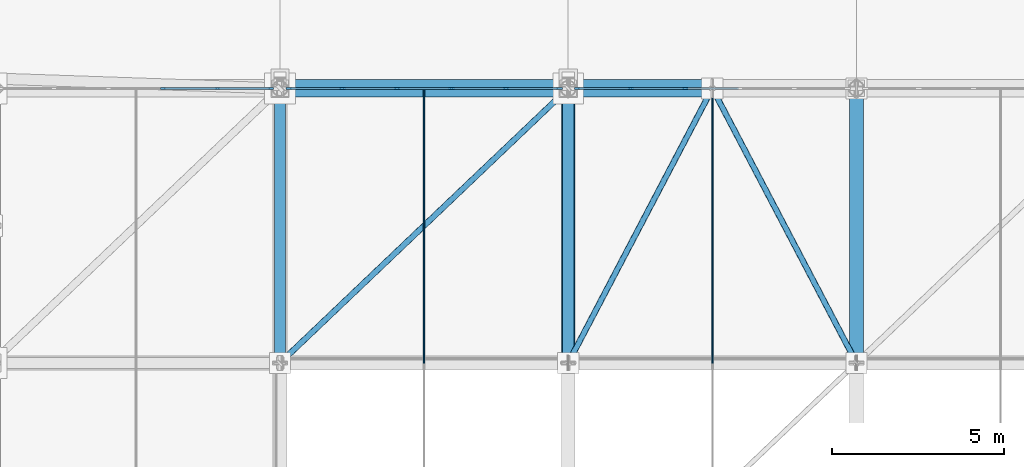
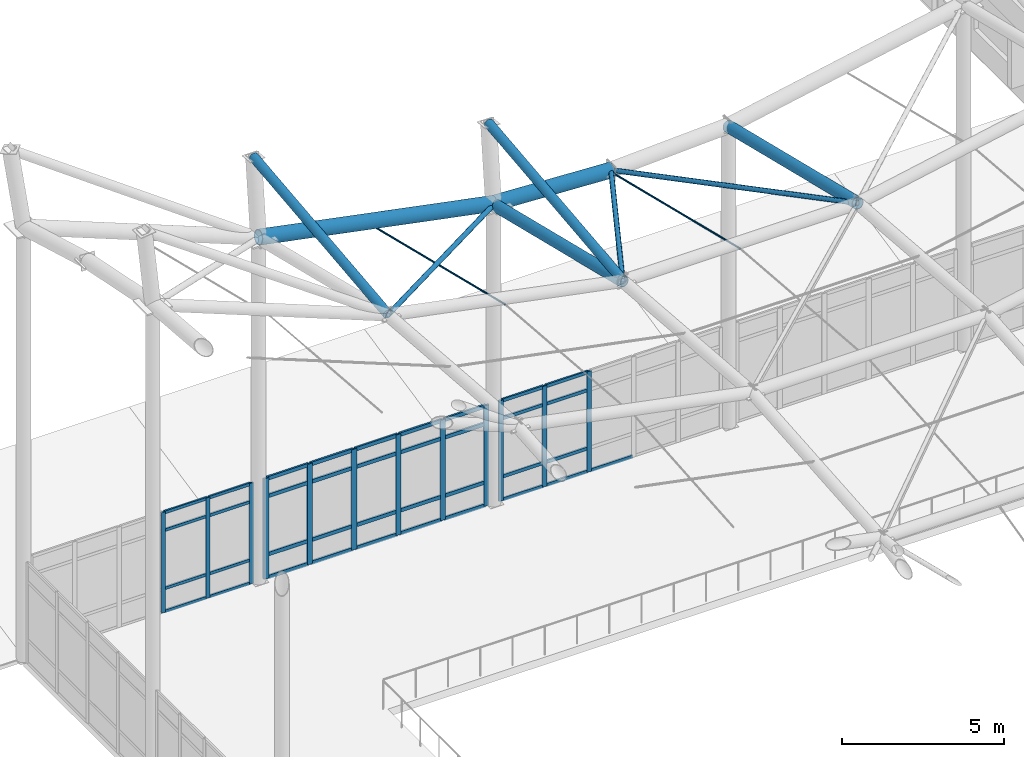
# One storey, part 44 of 138: 56 members, 4 beams, 3 elements without a shape of their own.
"""IFC4 building model written with IfcOpenShell, lengths in metres."""

from ifc_helpers import new_model, si_unit, direction, frame, origin, origin_2d, place, context, subcontext, project, spatial, rectangle, circle, hollow_circle, extrude, material, layer, layer_set, material_profile, profile_set, type_object, element, aggregate, save


model = new_model("IFC4")

# Units and contexts
model_context = context("Model", 3, precision=1e-05, world=origin(), true_north=direction((0.0, 1.0)))
body_context = subcontext(model_context, "Body", "Model", "MODEL_VIEW")
ifc_project = project(units=[si_unit("LENGTHUNIT", "METRE"), si_unit("AREAUNIT", "SQUARE_METRE"), si_unit("VOLUMEUNIT", "CUBIC_METRE"), si_unit("PLANEANGLEUNIT", "RADIAN"), si_unit("MASSUNIT", "GRAM", prefix="KILO")], contexts=[model_context])

# Site, building, storey
site_placement = place(None, origin())
site = spatial("IfcSite", under=ifc_project, at=site_placement, CompositionType="ELEMENT")
building_placement = place(site_placement, origin())
building = spatial("IfcBuilding", under=site, at=building_placement, Name="Kranzveld Transit Interchange", CompositionType="ELEMENT")
storey_placement = place(building_placement, frame((0.0, 0.0, 5.43994140625)))
storey = spatial("IfcBuildingStorey", under=building, at=storey_placement, Name="L01", CompositionType="ELEMENT", Elevation=5.43994140625)

# Curtain wall, members
ifc_material_1 = material(Name="Bronze-anodised thermally broken aluminium", Category="aluminium")
ifc_layer_1 = layer(ifc_material_1, 0.14990234375)
ifc_layer_set_1 = layer_set([ifc_layer_1], Name="Bronze-anodised thermally broken aluminium")
curtain_wall_type_1 = type_object("IfcCurtainWallType", Name="Public Passage Clerestory Screen CW-4", PredefinedType="USERDEFINED", material=ifc_layer_set_1)
curtain_wall_1_placement = place(storey_placement, origin())
curtain_wall_1 = element("IfcCurtainWall", 1, at=curtain_wall_1_placement, inside=storey, type_object=curtain_wall_type_1, Name="L01 Curtain Wall 08/M-09/M", ObjectType="CURTAIN WALL", PredefinedType="USERDEFINED")
ifc_material_2 = material(Name="Bronze-anodised thermally broken aluminium", Category="aluminium")
ifc_material_profile_1 = material_profile(ifc_material_2, rectangle(XDim=0.06005859375, YDim=0.14990234375, at=origin_2d()), Name="ALU MULLION 60x150")
ifc_profile_set_1 = profile_set([ifc_material_profile_1], Name="Bronze-anodised thermally broken aluminium")
member_type_1 = type_object("IfcMemberType", Name="Curtain Wall Mullion 60x150 Alu", PredefinedType="MULLION", material=ifc_profile_set_1)
member_1_placement = place(storey_placement, frame((63.794189453125, 88.0, 0.0), z_axis=(0.0, 0.0, 1.0), x_axis=(0.0, 1.0, 0.0)))
member_1 = element("IfcMember", 2, at=member_1_placement, type_object=member_type_1, Name="CW-4 mullion 4", PredefinedType="MULLION", context=body_context, shape_type="SweptSolid", body=[
    extrude(rectangle(XDim=0.06005859375, YDim=0.14990234375, at=origin_2d()), origin(), (0.0, 0.0, 1.0), 3.800048828125),
])
member_2_placement = place(storey_placement, frame((65.3828125, 88.0, 0.0), z_axis=(0.0, 0.0, 1.0), x_axis=(0.0, 1.0, 0.0)))
member_2 = element("IfcMember", 3, at=member_2_placement, type_object=member_type_1, Name="CW-4 mullion 5", PredefinedType="MULLION", context=body_context, shape_type="SweptSolid", body=[
    extrude(rectangle(XDim=0.06005859375, YDim=0.14990234375, at=origin_2d()), origin(), (0.0, 0.0, 1.0), 3.800048828125),
])
member_3_placement = place(storey_placement, frame((66.94140625, 88.0, 0.0), z_axis=(0.0, 0.0, 1.0), x_axis=(0.0, 1.0, 0.0)))
member_3 = element("IfcMember", 4, at=member_3_placement, type_object=member_type_1, Name="CW-4 mullion 6", PredefinedType="MULLION", context=body_context, shape_type="SweptSolid", body=[
    extrude(rectangle(XDim=0.06005859375, YDim=0.14990234375, at=origin_2d()), origin(), (0.0, 0.0, 1.0), 3.800048828125),
])

ifc_material_3 = material(Name="Bronze-anodised thermally broken aluminium", Category="aluminium")
ifc_layer_2 = layer(ifc_material_3, 0.155029296875)
ifc_layer_set_2 = layer_set([ifc_layer_2], Name="Bronze-anodised thermally broken aluminium")
curtain_wall_type_2 = type_object("IfcCurtainWallType", Name="Operations Courtyard Glazed Screen CW-6", PredefinedType="USERDEFINED", material=ifc_layer_set_2)
curtain_wall_2_placement = place(storey_placement, origin())
curtain_wall_2 = element("IfcCurtainWall", 5, at=curtain_wall_2_placement, inside=storey, type_object=curtain_wall_type_2, Name="L01 Curtain Wall 10/M-11/M", ObjectType="CURTAIN WALL", PredefinedType="USERDEFINED")
ifc_material_4 = material(Name="Bronze-anodised thermally broken aluminium", Category="aluminium")
ifc_material_profile_2 = material_profile(ifc_material_4, rectangle(XDim=0.06494140625, YDim=0.1650390625, at=origin_2d()), Name="ALU MULLION 65x165")
ifc_profile_set_2 = profile_set([ifc_material_profile_2], Name="Bronze-anodised thermally broken aluminium")
member_type_2 = type_object("IfcMemberType", Name="Curtain Wall Mullion 65x165 Alu", PredefinedType="MULLION", material=ifc_profile_set_2)
member_4_placement = place(storey_placement, frame((75.861083984375, 88.0, 0.0), z_axis=(0.0, 0.0, 1.0), x_axis=(0.0, 1.0, 0.0)))
member_4 = element("IfcMember", 6, at=member_4_placement, type_object=member_type_2, Name="CW-6 mullion 1", PredefinedType="MULLION", context=body_context, shape_type="SweptSolid", body=[
    extrude(rectangle(XDim=0.06494140625, YDim=0.1650390625, at=origin_2d()), origin(), (0.0, 0.0, 1.0), 3.800048828125),
])
member_5_placement = place(storey_placement, frame((77.4169921875, 88.0, 0.0), z_axis=(0.0, 0.0, 1.0), x_axis=(0.0, 1.0, 0.0)))
member_5 = element("IfcMember", 7, at=member_5_placement, type_object=member_type_2, Name="CW-6 mullion 2", PredefinedType="MULLION", context=body_context, shape_type="SweptSolid", body=[
    extrude(rectangle(XDim=0.06494140625, YDim=0.1650390625, at=origin_2d()), origin(), (0.0, 0.0, 1.0), 3.800048828125),
])
member_6_placement = place(storey_placement, frame((79.005615234375, 88.0, 0.0), z_axis=(0.0, 0.0, 1.0), x_axis=(0.0, 1.0, 0.0)))
member_6 = element("IfcMember", 8, at=member_6_placement, type_object=member_type_2, Name="CW-6 mullion 3", PredefinedType="MULLION", context=body_context, shape_type="SweptSolid", body=[
    extrude(rectangle(XDim=0.06494140625, YDim=0.1650390625, at=origin_2d()), origin(), (0.0, 0.0, 1.0), 3.800048828125),
])

ifc_material_5 = material(Name="Bronze-anodised thermally broken aluminium", Category="aluminium")
ifc_layer_3 = layer(ifc_material_5, 0.18505859375)
ifc_layer_set_3 = layer_set([ifc_layer_3], Name="Bronze-anodised thermally broken aluminium")
curtain_wall_type_3 = type_object("IfcCurtainWallType", Name="Control Crown Observation Facade CW-5", PredefinedType="USERDEFINED", material=ifc_layer_set_3)
curtain_wall_3_placement = place(storey_placement, origin())
curtain_wall_3 = element("IfcCurtainWall", 9, at=curtain_wall_3_placement, inside=storey, type_object=curtain_wall_type_3, Name="L01 Curtain Wall 09/M-10/M", ObjectType="CURTAIN WALL", PredefinedType="USERDEFINED")
ifc_material_6 = material(Name="Bronze-anodised thermally broken aluminium", Category="aluminium")
ifc_material_profile_3 = material_profile(ifc_material_6, rectangle(XDim=0.06494140625, YDim=0.179931640625, at=origin_2d()), Name="ALU MULLION 65x180")
ifc_profile_set_3 = profile_set([ifc_material_profile_3], Name="Bronze-anodised thermally broken aluminium")
member_type_3 = type_object("IfcMemberType", Name="Curtain Wall Mullion 65x180 Alu", PredefinedType="MULLION", material=ifc_profile_set_3)
member_7_placement = place(storey_placement, frame((67.4609375, 88.0, 0.0), z_axis=(0.0, 0.0, 1.0), x_axis=(0.0, 1.0, 0.0)))
member_7 = element("IfcMember", 10, at=member_7_placement, type_object=member_type_3, Name="CW-5 mullion 1", PredefinedType="MULLION", context=body_context, shape_type="SweptSolid", body=[
    extrude(rectangle(XDim=0.06494140625, YDim=0.179931640625, at=origin_2d()), origin(), (0.0, 0.0, 1.0), 3.800048828125),
])
member_8_placement = place(storey_placement, frame((69.01708984375, 88.0, 0.0), z_axis=(0.0, 0.0, 1.0), x_axis=(0.0, 1.0, 0.0)))
member_8 = element("IfcMember", 11, at=member_8_placement, type_object=member_type_3, Name="CW-5 mullion 2", PredefinedType="MULLION", context=body_context, shape_type="SweptSolid", body=[
    extrude(rectangle(XDim=0.06494140625, YDim=0.179931640625, at=origin_2d()), origin(), (0.0, 0.0, 1.0), 3.800048828125),
])
member_9_placement = place(storey_placement, frame((70.605712890625, 88.0, 0.0), z_axis=(0.0, 0.0, 1.0), x_axis=(0.0, 1.0, 0.0)))
member_9 = element("IfcMember", 12, at=member_9_placement, type_object=member_type_3, Name="CW-5 mullion 3", PredefinedType="MULLION", context=body_context, shape_type="SweptSolid", body=[
    extrude(rectangle(XDim=0.06494140625, YDim=0.179931640625, at=origin_2d()), origin(), (0.0, 0.0, 1.0), 3.800048828125),
])
member_10_placement = place(storey_placement, frame((72.1943359375, 88.0, 0.0), z_axis=(0.0, 0.0, 1.0), x_axis=(0.0, 1.0, 0.0)))
member_10 = element("IfcMember", 13, at=member_10_placement, type_object=member_type_3, Name="CW-5 mullion 4", PredefinedType="MULLION", context=body_context, shape_type="SweptSolid", body=[
    extrude(rectangle(XDim=0.06494140625, YDim=0.179931640625, at=origin_2d()), origin(), (0.0, 0.0, 1.0), 3.800048828125),
])
member_11_placement = place(storey_placement, frame((73.782958984375, 88.0, 0.0), z_axis=(0.0, 0.0, 1.0), x_axis=(0.0, 1.0, 0.0)))
member_11 = element("IfcMember", 14, at=member_11_placement, type_object=member_type_3, Name="CW-5 mullion 5", PredefinedType="MULLION", context=body_context, shape_type="SweptSolid", body=[
    extrude(rectangle(XDim=0.06494140625, YDim=0.179931640625, at=origin_2d()), origin(), (0.0, 0.0, 1.0), 3.800048828125),
])
member_12_placement = place(storey_placement, frame((75.339111328125, 88.0, 0.0), z_axis=(0.0, 0.0, 1.0), x_axis=(0.0, 1.0, 0.0)))
member_12 = element("IfcMember", 15, at=member_12_placement, type_object=member_type_3, Name="CW-5 mullion 6", PredefinedType="MULLION", context=body_context, shape_type="SweptSolid", body=[
    extrude(rectangle(XDim=0.06494140625, YDim=0.179931640625, at=origin_2d()), origin(), (0.0, 0.0, 1.0), 3.800048828125),
])

# Member
ifc_material_7 = material(Name="Bronze-anodised thermally broken aluminium", Category="aluminium")
ifc_material_profile_4 = material_profile(ifc_material_7, rectangle(XDim=0.06005859375, YDim=0.110107421875, at=origin_2d()), Name="ALU TRANSOM 60x110")
ifc_profile_set_4 = profile_set([ifc_material_profile_4], Name="Bronze-anodised thermally broken aluminium")
member_type_4 = type_object("IfcMemberType", Name="Curtain Wall Transom 60x110 Alu", PredefinedType="USERDEFINED", material=ifc_profile_set_4)
member_13_placement = place(storey_placement, frame((63.82421875, 88.0, 0.030029296875), z_axis=(1.0, 0.0, 0.0), x_axis=(0.0, 1.0, 0.0)))
member_13 = element("IfcMember", 16, at=member_13_placement, type_object=member_type_4, Name="CW-4 transom 4.1", ObjectType="TRANSOM", PredefinedType="USERDEFINED", context=body_context, shape_type="SweptSolid", body=[
    extrude(rectangle(XDim=0.06005859375, YDim=0.110107421875, at=origin_2d()), origin(), (0.0, 0.0, 1.0), 1.528564453125),
])

member_14_placement = place(storey_placement, frame((63.82421875, 88.0, 0.900146484375), z_axis=(1.0, 0.0, 0.0), x_axis=(0.0, 1.0, 0.0)))
member_14 = element("IfcMember", 17, at=member_14_placement, type_object=member_type_4, Name="CW-4 transom 4.2", ObjectType="TRANSOM", PredefinedType="USERDEFINED", context=body_context, shape_type="SweptSolid", body=[
    extrude(rectangle(XDim=0.06005859375, YDim=0.110107421875, at=origin_2d()), origin(), (0.0, 0.0, 1.0), 1.528564453125),
])

member_15_placement = place(storey_placement, frame((63.82421875, 88.0, 3.10009765625), z_axis=(1.0, 0.0, 0.0), x_axis=(0.0, 1.0, 0.0)))
member_15 = element("IfcMember", 18, at=member_15_placement, type_object=member_type_4, Name="CW-4 transom 4.3", ObjectType="TRANSOM", PredefinedType="USERDEFINED", context=body_context, shape_type="SweptSolid", body=[
    extrude(rectangle(XDim=0.06005859375, YDim=0.110107421875, at=origin_2d()), origin(), (0.0, 0.0, 1.0), 1.528564453125),
])

member_16_placement = place(storey_placement, frame((63.82421875, 88.0, 3.77001953125), z_axis=(1.0, 0.0, 0.0), x_axis=(0.0, 1.0, 0.0)))
member_16 = element("IfcMember", 19, at=member_16_placement, type_object=member_type_4, Name="CW-4 transom 4.4", ObjectType="TRANSOM", PredefinedType="USERDEFINED", context=body_context, shape_type="SweptSolid", body=[
    extrude(rectangle(XDim=0.06005859375, YDim=0.110107421875, at=origin_2d()), origin(), (0.0, 0.0, 1.0), 1.528564453125),
])

member_17_placement = place(storey_placement, frame((65.412841796875, 88.0, 0.030029296875), z_axis=(1.0, 0.0, 0.0), x_axis=(0.0, 1.0, 0.0)))
member_17 = element("IfcMember", 20, at=member_17_placement, type_object=member_type_4, Name="CW-4 transom 5.1", ObjectType="TRANSOM", PredefinedType="USERDEFINED", context=body_context, shape_type="SweptSolid", body=[
    extrude(rectangle(XDim=0.06005859375, YDim=0.110107421875, at=origin_2d()), origin(), (0.0, 0.0, 1.0), 1.498779296875),
])

member_18_placement = place(storey_placement, frame((65.412841796875, 88.0, 0.900146484375), z_axis=(1.0, 0.0, 0.0), x_axis=(0.0, 1.0, 0.0)))
member_18 = element("IfcMember", 21, at=member_18_placement, type_object=member_type_4, Name="CW-4 transom 5.2", ObjectType="TRANSOM", PredefinedType="USERDEFINED", context=body_context, shape_type="SweptSolid", body=[
    extrude(rectangle(XDim=0.06005859375, YDim=0.110107421875, at=origin_2d()), origin(), (0.0, 0.0, 1.0), 1.498779296875),
])

member_19_placement = place(storey_placement, frame((65.412841796875, 88.0, 3.10009765625), z_axis=(1.0, 0.0, 0.0), x_axis=(0.0, 1.0, 0.0)))
member_19 = element("IfcMember", 22, at=member_19_placement, type_object=member_type_4, Name="CW-4 transom 5.3", ObjectType="TRANSOM", PredefinedType="USERDEFINED", context=body_context, shape_type="SweptSolid", body=[
    extrude(rectangle(XDim=0.06005859375, YDim=0.110107421875, at=origin_2d()), origin(), (0.0, 0.0, 1.0), 1.498779296875),
])

member_20_placement = place(storey_placement, frame((65.412841796875, 88.0, 3.77001953125), z_axis=(1.0, 0.0, 0.0), x_axis=(0.0, 1.0, 0.0)))
member_20 = element("IfcMember", 23, at=member_20_placement, type_object=member_type_4, Name="CW-4 transom 5.4", ObjectType="TRANSOM", PredefinedType="USERDEFINED", context=body_context, shape_type="SweptSolid", body=[
    extrude(rectangle(XDim=0.06005859375, YDim=0.110107421875, at=origin_2d()), origin(), (0.0, 0.0, 1.0), 1.498779296875),
])

aggregate(curtain_wall_1, [member_1, member_2, member_3, member_13, member_14, member_15, member_16, member_17, member_18, member_19, member_20])

ifc_material_8 = material(Name="Bronze-anodised thermally broken aluminium", Category="aluminium")
ifc_material_profile_5 = material_profile(ifc_material_8, rectangle(XDim=0.06005859375, YDim=0.125, at=origin_2d()), Name="ALU TRANSOM 60x125")
ifc_profile_set_5 = profile_set([ifc_material_profile_5], Name="Bronze-anodised thermally broken aluminium")
member_type_5 = type_object("IfcMemberType", Name="Curtain Wall Transom 60x125 Alu", PredefinedType="USERDEFINED", material=ifc_profile_set_5)
member_21_placement = place(storey_placement, frame((75.8935546875, 88.0, 0.030029296875), z_axis=(1.0, 0.0, 0.0), x_axis=(0.0, 1.0, 0.0)))
member_21 = element("IfcMember", 24, at=member_21_placement, type_object=member_type_5, Name="CW-6 transom 1.1", ObjectType="TRANSOM", PredefinedType="USERDEFINED", context=body_context, shape_type="SweptSolid", body=[
    extrude(rectangle(XDim=0.06005859375, YDim=0.125, at=origin_2d()), origin(), (0.0, 0.0, 1.0), 1.490966796875),
])

member_22_placement = place(storey_placement, frame((75.8935546875, 88.0, 0.900146484375), z_axis=(1.0, 0.0, 0.0), x_axis=(0.0, 1.0, 0.0)))
member_22 = element("IfcMember", 25, at=member_22_placement, type_object=member_type_5, Name="CW-6 transom 1.2", ObjectType="TRANSOM", PredefinedType="USERDEFINED", context=body_context, shape_type="SweptSolid", body=[
    extrude(rectangle(XDim=0.06005859375, YDim=0.125, at=origin_2d()), origin(), (0.0, 0.0, 1.0), 1.490966796875),
])

member_23_placement = place(storey_placement, frame((75.8935546875, 88.0, 3.10009765625), z_axis=(1.0, 0.0, 0.0), x_axis=(0.0, 1.0, 0.0)))
member_23 = element("IfcMember", 26, at=member_23_placement, type_object=member_type_5, Name="CW-6 transom 1.3", ObjectType="TRANSOM", PredefinedType="USERDEFINED", context=body_context, shape_type="SweptSolid", body=[
    extrude(rectangle(XDim=0.06005859375, YDim=0.125, at=origin_2d()), origin(), (0.0, 0.0, 1.0), 1.490966796875),
])

member_24_placement = place(storey_placement, frame((75.8935546875, 88.0, 3.77001953125), z_axis=(1.0, 0.0, 0.0), x_axis=(0.0, 1.0, 0.0)))
member_24 = element("IfcMember", 27, at=member_24_placement, type_object=member_type_5, Name="CW-6 transom 1.4", ObjectType="TRANSOM", PredefinedType="USERDEFINED", context=body_context, shape_type="SweptSolid", body=[
    extrude(rectangle(XDim=0.06005859375, YDim=0.125, at=origin_2d()), origin(), (0.0, 0.0, 1.0), 1.490966796875),
])

member_25_placement = place(storey_placement, frame((77.44970703125, 88.0, 0.030029296875), z_axis=(1.0, 0.0, 0.0), x_axis=(0.0, 1.0, 0.0)))
member_25 = element("IfcMember", 28, at=member_25_placement, type_object=member_type_5, Name="CW-6 transom 2.1", ObjectType="TRANSOM", PredefinedType="USERDEFINED", context=body_context, shape_type="SweptSolid", body=[
    extrude(rectangle(XDim=0.06005859375, YDim=0.125, at=origin_2d()), origin(), (0.0, 0.0, 1.0), 1.5234375),
])

member_26_placement = place(storey_placement, frame((77.44970703125, 88.0, 0.900146484375), z_axis=(1.0, 0.0, 0.0), x_axis=(0.0, 1.0, 0.0)))
member_26 = element("IfcMember", 29, at=member_26_placement, type_object=member_type_5, Name="CW-6 transom 2.2", ObjectType="TRANSOM", PredefinedType="USERDEFINED", context=body_context, shape_type="SweptSolid", body=[
    extrude(rectangle(XDim=0.06005859375, YDim=0.125, at=origin_2d()), origin(), (0.0, 0.0, 1.0), 1.5234375),
])

member_27_placement = place(storey_placement, frame((77.44970703125, 88.0, 3.10009765625), z_axis=(1.0, 0.0, 0.0), x_axis=(0.0, 1.0, 0.0)))
member_27 = element("IfcMember", 30, at=member_27_placement, type_object=member_type_5, Name="CW-6 transom 2.3", ObjectType="TRANSOM", PredefinedType="USERDEFINED", context=body_context, shape_type="SweptSolid", body=[
    extrude(rectangle(XDim=0.06005859375, YDim=0.125, at=origin_2d()), origin(), (0.0, 0.0, 1.0), 1.5234375),
])

member_28_placement = place(storey_placement, frame((77.44970703125, 88.0, 3.77001953125), z_axis=(1.0, 0.0, 0.0), x_axis=(0.0, 1.0, 0.0)))
member_28 = element("IfcMember", 31, at=member_28_placement, type_object=member_type_5, Name="CW-6 transom 2.4", ObjectType="TRANSOM", PredefinedType="USERDEFINED", context=body_context, shape_type="SweptSolid", body=[
    extrude(rectangle(XDim=0.06005859375, YDim=0.125, at=origin_2d()), origin(), (0.0, 0.0, 1.0), 1.5234375),
])

member_29_placement = place(storey_placement, frame((79.0380859375, 88.0, 0.030029296875), z_axis=(1.0, 0.0, 0.0), x_axis=(0.0, 1.0, 0.0)))
member_29 = element("IfcMember", 32, at=member_29_placement, type_object=member_type_5, Name="CW-6 transom 3.1", ObjectType="TRANSOM", PredefinedType="USERDEFINED", context=body_context, shape_type="SweptSolid", body=[
    extrude(rectangle(XDim=0.06005859375, YDim=0.125, at=origin_2d()), origin(), (0.0, 0.0, 1.0), 1.523681640625),
])

aggregate(curtain_wall_2, [member_4, member_5, member_6, member_21, member_22, member_23, member_24, member_25, member_26, member_27, member_28, member_29])

ifc_material_9 = material(Name="Bronze-anodised thermally broken aluminium", Category="aluminium")
ifc_material_profile_6 = material_profile(ifc_material_9, rectangle(XDim=0.06494140625, YDim=0.139892578125, at=origin_2d()), Name="ALU TRANSOM 65x140")
ifc_profile_set_6 = profile_set([ifc_material_profile_6], Name="Bronze-anodised thermally broken aluminium")
member_type_6 = type_object("IfcMemberType", Name="Curtain Wall Transom 65x140 Alu", PredefinedType="USERDEFINED", material=ifc_profile_set_6)
member_30_placement = place(storey_placement, frame((67.493408203125, 88.0, 0.032470703125), z_axis=(1.0, 0.0, 0.0), x_axis=(0.0, 1.0, 0.0)))
member_30 = element("IfcMember", 33, at=member_30_placement, type_object=member_type_6, Name="CW-5 transom 1.1", ObjectType="TRANSOM", PredefinedType="USERDEFINED", context=body_context, shape_type="SweptSolid", body=[
    extrude(rectangle(XDim=0.06494140625, YDim=0.139892578125, at=origin_2d()), origin(), (0.0, 0.0, 1.0), 1.4912109375),
])

member_31_placement = place(storey_placement, frame((67.493408203125, 88.0, 0.900146484375), z_axis=(1.0, 0.0, 0.0), x_axis=(0.0, 1.0, 0.0)))
member_31 = element("IfcMember", 34, at=member_31_placement, type_object=member_type_6, Name="CW-5 transom 1.2", ObjectType="TRANSOM", PredefinedType="USERDEFINED", context=body_context, shape_type="SweptSolid", body=[
    extrude(rectangle(XDim=0.06494140625, YDim=0.139892578125, at=origin_2d()), origin(), (0.0, 0.0, 1.0), 1.4912109375),
])

member_32_placement = place(storey_placement, frame((67.493408203125, 88.0, 3.10009765625), z_axis=(1.0, 0.0, 0.0), x_axis=(0.0, 1.0, 0.0)))
member_32 = element("IfcMember", 35, at=member_32_placement, type_object=member_type_6, Name="CW-5 transom 1.3", ObjectType="TRANSOM", PredefinedType="USERDEFINED", context=body_context, shape_type="SweptSolid", body=[
    extrude(rectangle(XDim=0.06494140625, YDim=0.139892578125, at=origin_2d()), origin(), (0.0, 0.0, 1.0), 1.4912109375),
])

member_33_placement = place(storey_placement, frame((67.493408203125, 88.0, 3.767578125), z_axis=(1.0, 0.0, 0.0), x_axis=(0.0, 1.0, 0.0)))
member_33 = element("IfcMember", 36, at=member_33_placement, type_object=member_type_6, Name="CW-5 transom 1.4", ObjectType="TRANSOM", PredefinedType="USERDEFINED", context=body_context, shape_type="SweptSolid", body=[
    extrude(rectangle(XDim=0.06494140625, YDim=0.139892578125, at=origin_2d()), origin(), (0.0, 0.0, 1.0), 1.4912109375),
])

member_34_placement = place(storey_placement, frame((69.049560546875, 88.0, 0.032470703125), z_axis=(1.0, 0.0, 0.0), x_axis=(0.0, 1.0, 0.0)))
member_34 = element("IfcMember", 37, at=member_34_placement, type_object=member_type_6, Name="CW-5 transom 2.1", ObjectType="TRANSOM", PredefinedType="USERDEFINED", context=body_context, shape_type="SweptSolid", body=[
    extrude(rectangle(XDim=0.06494140625, YDim=0.139892578125, at=origin_2d()), origin(), (0.0, 0.0, 1.0), 1.523681640625),
])

member_35_placement = place(storey_placement, frame((69.049560546875, 88.0, 0.900146484375), z_axis=(1.0, 0.0, 0.0), x_axis=(0.0, 1.0, 0.0)))
member_35 = element("IfcMember", 38, at=member_35_placement, type_object=member_type_6, Name="CW-5 transom 2.2", ObjectType="TRANSOM", PredefinedType="USERDEFINED", context=body_context, shape_type="SweptSolid", body=[
    extrude(rectangle(XDim=0.06494140625, YDim=0.139892578125, at=origin_2d()), origin(), (0.0, 0.0, 1.0), 1.523681640625),
])

member_36_placement = place(storey_placement, frame((69.049560546875, 88.0, 3.10009765625), z_axis=(1.0, 0.0, 0.0), x_axis=(0.0, 1.0, 0.0)))
member_36 = element("IfcMember", 39, at=member_36_placement, type_object=member_type_6, Name="CW-5 transom 2.3", ObjectType="TRANSOM", PredefinedType="USERDEFINED", context=body_context, shape_type="SweptSolid", body=[
    extrude(rectangle(XDim=0.06494140625, YDim=0.139892578125, at=origin_2d()), origin(), (0.0, 0.0, 1.0), 1.523681640625),
])

member_37_placement = place(storey_placement, frame((69.049560546875, 88.0, 3.767578125), z_axis=(1.0, 0.0, 0.0), x_axis=(0.0, 1.0, 0.0)))
member_37 = element("IfcMember", 40, at=member_37_placement, type_object=member_type_6, Name="CW-5 transom 2.4", ObjectType="TRANSOM", PredefinedType="USERDEFINED", context=body_context, shape_type="SweptSolid", body=[
    extrude(rectangle(XDim=0.06494140625, YDim=0.139892578125, at=origin_2d()), origin(), (0.0, 0.0, 1.0), 1.523681640625),
])

member_38_placement = place(storey_placement, frame((70.63818359375, 88.0, 0.032470703125), z_axis=(1.0, 0.0, 0.0), x_axis=(0.0, 1.0, 0.0)))
member_38 = element("IfcMember", 41, at=member_38_placement, type_object=member_type_6, Name="CW-5 transom 3.1", ObjectType="TRANSOM", PredefinedType="USERDEFINED", context=body_context, shape_type="SweptSolid", body=[
    extrude(rectangle(XDim=0.06494140625, YDim=0.139892578125, at=origin_2d()), origin(), (0.0, 0.0, 1.0), 1.523681640625),
])

member_39_placement = place(storey_placement, frame((70.63818359375, 88.0, 0.900146484375), z_axis=(1.0, 0.0, 0.0), x_axis=(0.0, 1.0, 0.0)))
member_39 = element("IfcMember", 42, at=member_39_placement, type_object=member_type_6, Name="CW-5 transom 3.2", ObjectType="TRANSOM", PredefinedType="USERDEFINED", context=body_context, shape_type="SweptSolid", body=[
    extrude(rectangle(XDim=0.06494140625, YDim=0.139892578125, at=origin_2d()), origin(), (0.0, 0.0, 1.0), 1.523681640625),
])

member_40_placement = place(storey_placement, frame((70.63818359375, 88.0, 3.10009765625), z_axis=(1.0, 0.0, 0.0), x_axis=(0.0, 1.0, 0.0)))
member_40 = element("IfcMember", 43, at=member_40_placement, type_object=member_type_6, Name="CW-5 transom 3.3", ObjectType="TRANSOM", PredefinedType="USERDEFINED", context=body_context, shape_type="SweptSolid", body=[
    extrude(rectangle(XDim=0.06494140625, YDim=0.139892578125, at=origin_2d()), origin(), (0.0, 0.0, 1.0), 1.523681640625),
])

member_41_placement = place(storey_placement, frame((70.63818359375, 88.0, 3.767578125), z_axis=(1.0, 0.0, 0.0), x_axis=(0.0, 1.0, 0.0)))
member_41 = element("IfcMember", 44, at=member_41_placement, type_object=member_type_6, Name="CW-5 transom 3.4", ObjectType="TRANSOM", PredefinedType="USERDEFINED", context=body_context, shape_type="SweptSolid", body=[
    extrude(rectangle(XDim=0.06494140625, YDim=0.139892578125, at=origin_2d()), origin(), (0.0, 0.0, 1.0), 1.523681640625),
])

member_42_placement = place(storey_placement, frame((72.226806640625, 88.0, 0.032470703125), z_axis=(1.0, 0.0, 0.0), x_axis=(0.0, 1.0, 0.0)))
member_42 = element("IfcMember", 45, at=member_42_placement, type_object=member_type_6, Name="CW-5 transom 4.1", ObjectType="TRANSOM", PredefinedType="USERDEFINED", context=body_context, shape_type="SweptSolid", body=[
    extrude(rectangle(XDim=0.06494140625, YDim=0.139892578125, at=origin_2d()), origin(), (0.0, 0.0, 1.0), 1.523681640625),
])

member_43_placement = place(storey_placement, frame((72.226806640625, 88.0, 0.900146484375), z_axis=(1.0, 0.0, 0.0), x_axis=(0.0, 1.0, 0.0)))
member_43 = element("IfcMember", 46, at=member_43_placement, type_object=member_type_6, Name="CW-5 transom 4.2", ObjectType="TRANSOM", PredefinedType="USERDEFINED", context=body_context, shape_type="SweptSolid", body=[
    extrude(rectangle(XDim=0.06494140625, YDim=0.139892578125, at=origin_2d()), origin(), (0.0, 0.0, 1.0), 1.523681640625),
])

member_44_placement = place(storey_placement, frame((72.226806640625, 88.0, 3.10009765625), z_axis=(1.0, 0.0, 0.0), x_axis=(0.0, 1.0, 0.0)))
member_44 = element("IfcMember", 47, at=member_44_placement, type_object=member_type_6, Name="CW-5 transom 4.3", ObjectType="TRANSOM", PredefinedType="USERDEFINED", context=body_context, shape_type="SweptSolid", body=[
    extrude(rectangle(XDim=0.06494140625, YDim=0.139892578125, at=origin_2d()), origin(), (0.0, 0.0, 1.0), 1.523681640625),
])

member_45_placement = place(storey_placement, frame((72.226806640625, 88.0, 3.767578125), z_axis=(1.0, 0.0, 0.0), x_axis=(0.0, 1.0, 0.0)))
member_45 = element("IfcMember", 48, at=member_45_placement, type_object=member_type_6, Name="CW-5 transom 4.4", ObjectType="TRANSOM", PredefinedType="USERDEFINED", context=body_context, shape_type="SweptSolid", body=[
    extrude(rectangle(XDim=0.06494140625, YDim=0.139892578125, at=origin_2d()), origin(), (0.0, 0.0, 1.0), 1.523681640625),
])

member_46_placement = place(storey_placement, frame((73.8154296875, 88.0, 0.032470703125), z_axis=(1.0, 0.0, 0.0), x_axis=(0.0, 1.0, 0.0)))
member_46 = element("IfcMember", 49, at=member_46_placement, type_object=member_type_6, Name="CW-5 transom 5.1", ObjectType="TRANSOM", PredefinedType="USERDEFINED", context=body_context, shape_type="SweptSolid", body=[
    extrude(rectangle(XDim=0.06494140625, YDim=0.139892578125, at=origin_2d()), origin(), (0.0, 0.0, 1.0), 1.490966796875),
])

member_47_placement = place(storey_placement, frame((73.8154296875, 88.0, 0.900146484375), z_axis=(1.0, 0.0, 0.0), x_axis=(0.0, 1.0, 0.0)))
member_47 = element("IfcMember", 50, at=member_47_placement, type_object=member_type_6, Name="CW-5 transom 5.2", ObjectType="TRANSOM", PredefinedType="USERDEFINED", context=body_context, shape_type="SweptSolid", body=[
    extrude(rectangle(XDim=0.06494140625, YDim=0.139892578125, at=origin_2d()), origin(), (0.0, 0.0, 1.0), 1.490966796875),
])

member_48_placement = place(storey_placement, frame((73.8154296875, 88.0, 3.10009765625), z_axis=(1.0, 0.0, 0.0), x_axis=(0.0, 1.0, 0.0)))
member_48 = element("IfcMember", 51, at=member_48_placement, type_object=member_type_6, Name="CW-5 transom 5.3", ObjectType="TRANSOM", PredefinedType="USERDEFINED", context=body_context, shape_type="SweptSolid", body=[
    extrude(rectangle(XDim=0.06494140625, YDim=0.139892578125, at=origin_2d()), origin(), (0.0, 0.0, 1.0), 1.490966796875),
])

member_49_placement = place(storey_placement, frame((73.8154296875, 88.0, 3.767578125), z_axis=(1.0, 0.0, 0.0), x_axis=(0.0, 1.0, 0.0)))
member_49 = element("IfcMember", 52, at=member_49_placement, type_object=member_type_6, Name="CW-5 transom 5.4", ObjectType="TRANSOM", PredefinedType="USERDEFINED", context=body_context, shape_type="SweptSolid", body=[
    extrude(rectangle(XDim=0.06494140625, YDim=0.139892578125, at=origin_2d()), origin(), (0.0, 0.0, 1.0), 1.490966796875),
])

aggregate(curtain_wall_3, [member_7, member_8, member_9, member_10, member_11, member_12, member_30, member_31, member_32, member_33, member_34, member_35, member_36, member_37, member_38, member_39, member_40, member_41, member_42, member_43, member_44, member_45, member_46, member_47, member_48, member_49])

# Members
ifc_material_10 = material(Name="Steel S355JR", Category="steel")
ifc_material_profile_7 = material_profile(ifc_material_10, hollow_circle(Radius=0.161865234375, WallThickness=0.012451171875, at=origin_2d()), Name="CHS 323.9x12.5")
ifc_profile_set_7 = profile_set([ifc_material_profile_7], Name="Steel S355JR")
member_type_7 = type_object("IfcMemberType", Name="Mast Tripod Strut CHS 323.9x12.5 S355JR", PredefinedType="STRUT", material=ifc_profile_set_7)
for number, where, z_axis, x_axis, name in (
    (53, (67.199951171875, 80.0, 14.93212890625), (0.0, 0.994173724148, 0.10778963871), (-1.0, 0.0, 0.0), "Mast Tripod Strut MS-10"),
    (54, (75.60009765625, 80.0, 13.26806640625), (0.0, 0.994173724148, 0.10778963871), (-1.0, 0.0, 0.0), "Mast Tripod Strut MS-11"),
):
    element("IfcMember", number, at=place(storey_placement, frame(where, z_axis=z_axis, x_axis=x_axis)), inside=storey, type_object=member_type_7, Name=name, PredefinedType="STRUT", context=body_context, shape_type="SweptSolid", body=[
        extrude(hollow_circle(Radius=0.161865234375, WallThickness=0.012451171875, at=origin_2d()), origin(), (0.0, 0.0, 1.0), 8.3486328125),
    ])

# Beams
ifc_material_11 = material(Name="Steel S355JR", Category="steel")
ifc_material_profile_8 = material_profile(ifc_material_11, hollow_circle(Radius=0.25390625, WallThickness=0.02001953125, at=origin_2d()), Name="CHS 508x20")
ifc_profile_set_8 = profile_set([ifc_material_profile_8], Name="Steel S355JR")
beam_type_1 = type_object("IfcBeamType", Name="Ring Beam Steel CHS 508x20 S355JR", PredefinedType="BEAM", material=ifc_profile_set_8)
beam_1_placement = place(storey_placement, frame((79.800048828125, 88.0, 11.110107421875), z_axis=(-0.998775827081, 0.0, 0.049465616734), x_axis=(0.0, -1.0, 0.0)))
element("IfcBeam", 55, at=beam_1_placement, inside=storey, type_object=beam_type_1, Name="Saddle Compression Ring Chord 10mM-10M", PredefinedType="BEAM", context=body_context, shape_type="SweptSolid", body=[
    extrude(hollow_circle(Radius=0.25390625, WallThickness=0.02001953125, at=origin_2d()), origin(), (0.0, 0.0, 1.0), 4.205078125),
])
beam_2_placement = place(storey_placement, frame((75.60009765625, 88.0, 11.318115234375), z_axis=(-0.980937602639, 0.0, 0.19432297787), x_axis=(0.0, -1.0, 0.0)))
element("IfcBeam", 56, at=beam_2_placement, inside=storey, type_object=beam_type_1, Name="Saddle Compression Ring Chord 10M-09M", PredefinedType="BEAM", context=body_context, shape_type="SweptSolid", body=[
    extrude(hollow_circle(Radius=0.25390625, WallThickness=0.02001953125, at=origin_2d()), origin(), (0.0, 0.0, 1.0), 8.5634765625),
])

# Members
ifc_material_12 = material(Name="Steel S355JR", Category="steel")
ifc_material_profile_9 = material_profile(ifc_material_12, hollow_circle(Radius=0.084228515625, WallThickness=0.00634765625, at=origin_2d()), Name="CHS 168.3x6.3")
ifc_profile_set_9 = profile_set([ifc_material_profile_9], Name="Steel S355JR")
member_type_8 = type_object("IfcMemberType", Name="Roof Plan Brace CHS 168.3x6.3 S355JR", PredefinedType="BRACE", material=ifc_profile_set_9)
member_50_placement = place(storey_placement, frame((67.199951171875, 80.0, 14.882080078125), z_axis=(0.691367608731, 0.658433859474, -0.29744862127), x_axis=(-0.689648865971, 0.724143937118, 0.0)))
element("IfcMember", 57, at=member_50_placement, inside=storey, type_object=member_type_8, Name="Saddle Roof Plan Brace 09/L-10/M", PredefinedType="BRACE", context=body_context, shape_type="SweptSolid", body=[
    extrude(hollow_circle(Radius=0.084228515625, WallThickness=0.00634765625, at=origin_2d()), origin(), (0.0, 0.0, 1.0), 12.150146484375),
])
for number, where, z_axis, x_axis, name in (
    (58, (75.60009765625, 80.0, 13.238037109375), (0.452451523541, 0.861822445119, -0.22923719579), (-0.885400126936, 0.464829662588, 0.0), "Saddle Roof Tie Brace 10/L-10mM"),
    (59, (84.0, 80.0, 13.238037109375), (-0.452451523541, 0.861822445119, -0.22923719579), (-0.885400126936, -0.464829662588, 0.0), "Saddle Roof Tie Brace 11/L-10mM"),
):
    element("IfcMember", number, at=place(storey_placement, frame(where, z_axis=z_axis, x_axis=x_axis)), inside=storey, type_object=member_type_8, Name=name, PredefinedType="BRACE", context=body_context, shape_type="SweptSolid", body=[
        extrude(hollow_circle(Radius=0.084228515625, WallThickness=0.00634765625, at=origin_2d()), origin(), (0.0, 0.0, 1.0), 9.28271484375),
    ])

# Beams
ifc_material_13 = material(Name="Steel S355JR", Category="steel")
ifc_material_profile_10 = material_profile(ifc_material_13, hollow_circle(Radius=0.203125, WallThickness=0.01611328125, at=origin_2d()), Name="CHS 406.4x16")
ifc_profile_set_10 = profile_set([ifc_material_profile_10], Name="Steel S355JR")
beam_type_2 = type_object("IfcBeamType", Name="Saddle Arch Rib CHS 406.4x16 S355JR", PredefinedType="BEAM", material=ifc_profile_set_10)
for number, where, z_axis, x_axis, name in (
    (60, (75.60009765625, 80.0, 13.238037109375), (0.0, 0.971555787477, -0.236810793292), (-1.0, 0.0, 0.0), "Saddle Arch Rib 10/L-M"),
    (61, (84.0, 80.0, 13.238037109375), (0.0, 0.971555787477, -0.236810793292), (-1.0, 0.0, 0.0), "Saddle Arch Rib 11/L-M"),
):
    element("IfcBeam", number, at=place(storey_placement, frame(where, z_axis=z_axis, x_axis=x_axis)), inside=storey, type_object=beam_type_2, Name=name, PredefinedType="BEAM", context=body_context, shape_type="SweptSolid", body=[
        extrude(hollow_circle(Radius=0.203125, WallThickness=0.01611328125, at=origin_2d()), origin(), (0.0, 0.0, 1.0), 8.234130859375),
    ])

# Members
ifc_material_14 = material(Name="Steel S355JR", Category="steel")
ifc_material_profile_11 = material_profile(ifc_material_14, circle(Radius=0.02392578125, at=origin_2d()), Name="CABLE D48")
ifc_profile_set_11 = profile_set([ifc_material_profile_11], Name="Steel S355JR")
member_type_9 = type_object("IfcMemberType", Name="Saddle Stabilising Cable D48 S355JR", PredefinedType="USERDEFINED", material=ifc_profile_set_11)
for number, where, z_axis, x_axis, name in (
    (62, (71.39990234375, 80.0, 13.822021484375), (0.0, 0.971555787477, -0.236810793292), (-1.0, 0.0, 0.0), "Saddle Stabilising Cable 10/L"),
    (63, (79.800048828125, 80.0, 12.989990234375), (0.0, 0.971555787477, -0.236810793292), (-1.0, 0.0, 0.0), "Saddle Stabilising Cable 11/L"),
):
    element("IfcMember", number, at=place(storey_placement, frame(where, z_axis=z_axis, x_axis=x_axis)), inside=storey, type_object=member_type_9, Name=name, ObjectType="CABLE", PredefinedType="USERDEFINED", context=body_context, shape_type="SweptSolid", body=[
        extrude(circle(Radius=0.02392578125, at=origin_2d()), origin(), (0.0, 0.0, 1.0), 8.234130859375),
    ])

save(model, "model.ifc")
